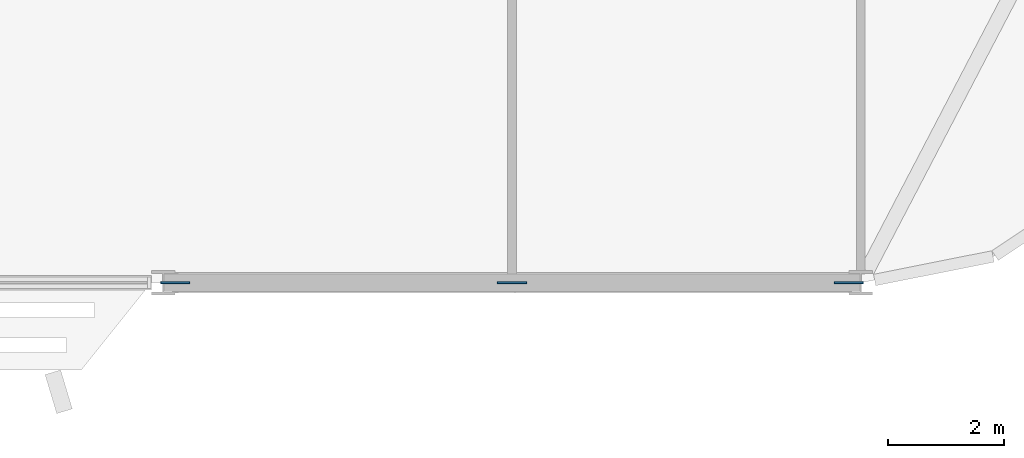
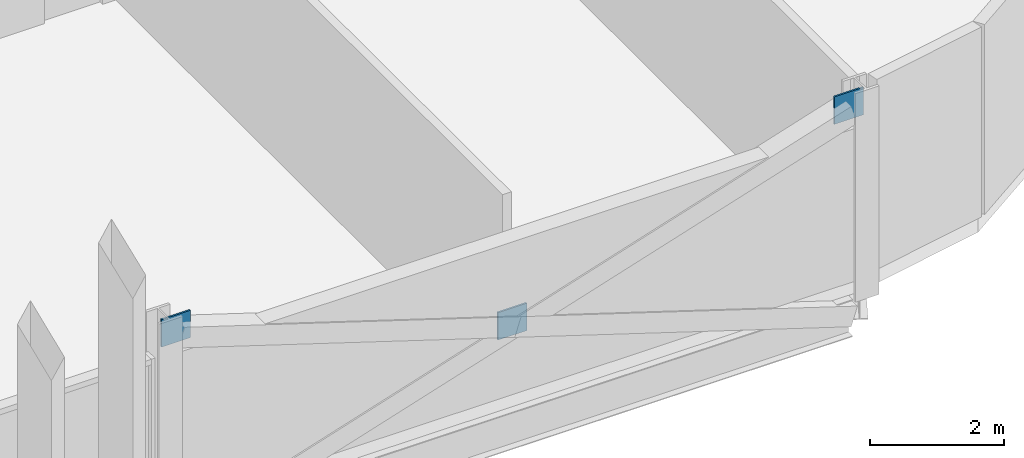
# One storey, part 21 of 28: 3 discrete accessories.
"""IFC4 building model written with IfcOpenShell, lengths in metres."""

from ifc_helpers import new_model, si_unit, direction, frame, origin, origin_2d, place, context, subcontext, project, spatial, rectangle, extrude, material, layer, layer_set, type_object, element, save


model = new_model("IFC4")

# Units and contexts
model_context = context("Model", 3, precision=1e-05, world=origin(), true_north=direction((0.0, 1.0)))
body_context = subcontext(model_context, "Body", "Model", "MODEL_VIEW")
ifc_project = project(units=[si_unit("LENGTHUNIT", "METRE"), si_unit("AREAUNIT", "SQUARE_METRE"), si_unit("VOLUMEUNIT", "CUBIC_METRE"), si_unit("PLANEANGLEUNIT", "RADIAN"), si_unit("MASSUNIT", "GRAM", prefix="KILO")], contexts=[model_context])

# Site, building, storey
site_placement = place(None, origin())
site = spatial("IfcSite", under=ifc_project, at=site_placement, CompositionType="ELEMENT")
building_placement = place(site_placement, origin())
building = spatial("IfcBuilding", under=site, at=building_placement, Name="Mahtab Terrace Research Tower", CompositionType="ELEMENT")
storey_placement = place(building_placement, frame((0.0, 0.0, 174.39990234375)))
storey = spatial("IfcBuildingStorey", under=building, at=storey_placement, Name="L41", CompositionType="ELEMENT", Elevation=174.39990234375)

# Discrete accessories
ifc_material = material(Name="Steel ASTM A992 Gr 50", Category="steel")
ifc_layer = layer(ifc_material, 0.030029296875)
ifc_layer_set = layer_set([ifc_layer], Name="Gusset plate 500x500x30")
discrete_accessory_type = type_object("IfcDiscreteAccessoryType", Name="Gusset plate 500x500x30", PredefinedType="USERDEFINED", material=ifc_layer_set)
for number, where, z_axis, x_axis, name in (
    (1, (30.203125, -23.0, 2.87109375), (0.0, 0.0, 1.0), (1.0, 0.0, 0.0), "Gusset plate"),
    (2, (36.0, -23.0, 0.970947265625), (0.0, 0.0, 1.0), (1.0, 0.0, 0.0), "Gusset plate"),
    (3, (41.796875, -23.0, 2.87109375), (0.0, 0.0, 1.0), (1.0, 0.0, 0.0), "Gusset plate"),
):
    element("IfcDiscreteAccessory", number, at=place(storey_placement, frame(where, z_axis=z_axis, x_axis=x_axis)), inside=storey, type_object=discrete_accessory_type, Name=name, ObjectType="GUSSET PLATE", PredefinedType="USERDEFINED", context=body_context, shape_type="SweptSolid", body=[
        extrude(rectangle(XDim=0.5, YDim=0.030029296875, at=origin_2d()), origin(), (0.0, 0.0, 1.0), 0.5),
    ])

save(model, "model.ifc")
